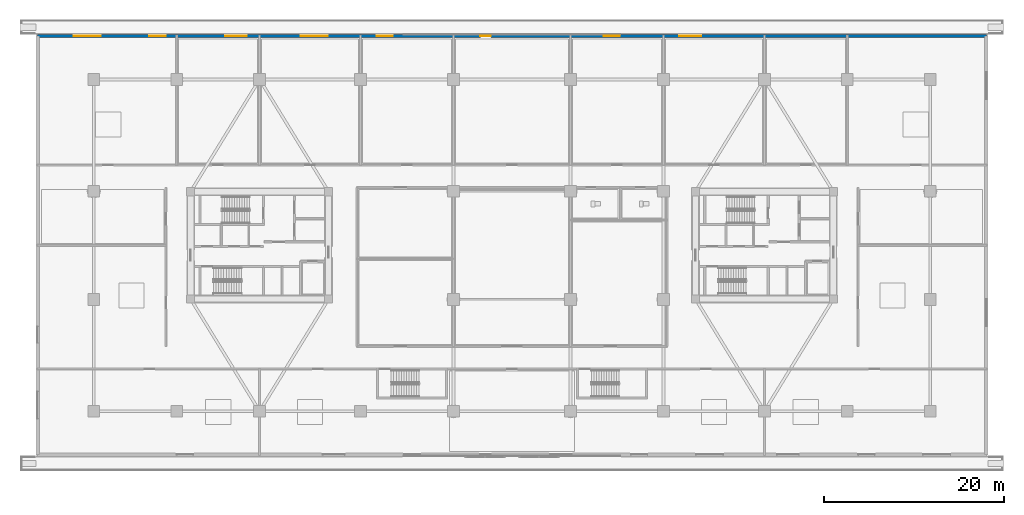
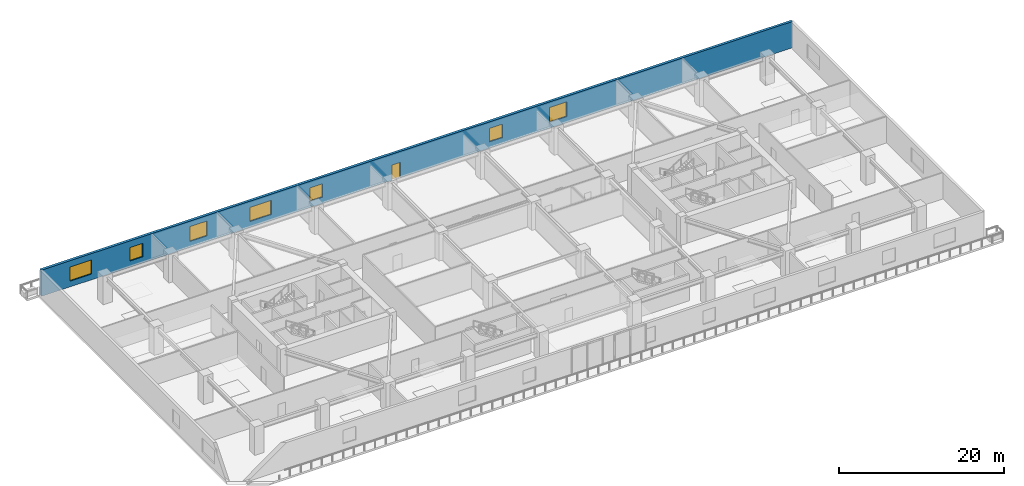
# One storey, part 9 of 22: 7 windows, 1 door, 1 wall, 8 openings.
"""IFC4 building model written with IfcOpenShell, lengths in metres."""

from ifc_helpers import new_model, si_unit, direction, frame, frame_2d, origin, place, context, subcontext, project, spatial, rectangle, extrude, source, transform, mapped, material, layer, layer_set, type_object, type_shapes, element, fill, save


model = new_model("IFC4")

# Units and contexts
model_context = context("Model", 3, precision=1e-05, world=origin(), true_north=direction((0.0, 1.0)))
body_context = subcontext(model_context, "Body", "Model", "MODEL_VIEW")
ifc_project = project(units=[si_unit("LENGTHUNIT", "METRE"), si_unit("AREAUNIT", "SQUARE_METRE"), si_unit("VOLUMEUNIT", "CUBIC_METRE"), si_unit("PLANEANGLEUNIT", "RADIAN"), si_unit("MASSUNIT", "GRAM", prefix="KILO")], contexts=[model_context])

# Site, building, storey
site_placement = place(None, origin())
site = spatial("IfcSite", under=ifc_project, at=site_placement, CompositionType="ELEMENT")
building_placement = place(site_placement, origin())
building = spatial("IfcBuilding", under=site, at=building_placement, Name="Norrkilde Senior Care Towers", CompositionType="ELEMENT")
storey_placement = place(building_placement, frame((0.0, 0.0, 4.199951171875)))
storey = spatial("IfcBuildingStorey", under=building, at=storey_placement, Name="L01", CompositionType="ELEMENT", Elevation=4.199951171875)

# Wall, openings, windows, door
ifc_material_1 = material(Name="Precast concrete C45/55", Category="concrete")
ifc_layer = layer(ifc_material_1, 0.360107421875)
ifc_layer_set = layer_set([ifc_layer], Name="Precast concrete C45/55")
wall_type = type_object("IfcWallType", Name="Podium Facade Wall 360", PredefinedType="SOLIDWALL", material=ifc_layer_set)
shared_shape_1 = source(origin(), body_context, "Body", "SweptSolid", [
    extrude(rectangle(XDim=105.240234375, YDim=0.360107421875, at=frame_2d((52.6201171875, 0.0))), origin(), (0.0, 0.0, 1.0), 3.880126953125),
])
type_shapes(wall_type, [shared_shape_1])
wall_placement = place(storey_placement, frame((-52.6201171875, 23.219970703125, 0.0), z_axis=(0.0, 0.0, 1.0), x_axis=(1.0, 0.0, 0.0)))
wall = element("IfcWall", 1, at=wall_placement, inside=storey, type_object=wall_type, Name="L01 Podium N Facade Wall", PredefinedType="SOLIDWALL", context=body_context, shape_type="MappedRepresentation", body=[
    mapped(shared_shape_1, transform((0.0, 0.0, 0.0), x_axis=(1.0, 0.0, 0.0), y_axis=(0.0, 1.0, 0.0), z_axis=(0.0, 0.0, 1.0), scale=1.0)),
])
opening_1_placement = place(wall_placement, frame((49.1201171875, 0.0, 0.0)))
opening_1 = element("IfcOpeningElement", 2, at=opening_1_placement, cuts=wall, Name="Opening D-09", PredefinedType="OPENING", context=body_context, shape_type="SweptSolid", body=[
    extrude(rectangle(XDim=1.14990234375, YDim=2.25, at=frame_2d((0.574951171875, 1.125))), frame((0.0, 0.18994140625, 0.0), z_axis=(0.0, -1.0, 0.0), x_axis=(1.0, 0.0, 0.0)), (0.0, 0.0, 1.0), 0.380126953125),
])
opening_2_placement = place(wall_placement, frame((4.0, 0.0, 0.85009765625)))
opening_2 = element("IfcOpeningElement", 3, at=opening_2_placement, cuts=wall, Name="Opening WN-02", PredefinedType="OPENING", context=body_context, shape_type="SweptSolid", body=[
    extrude(rectangle(XDim=3.0, YDim=2.10009765625, at=frame_2d((1.5, 1.050048828125))), frame((0.0, 0.18994140625, 0.0), z_axis=(0.0, -1.0, 0.0), x_axis=(1.0, 0.0, 0.0)), (0.0, 0.0, 1.0), 0.380126953125),
])
opening_3_placement = place(wall_placement, frame((12.39990234375, 0.0, 0.89990234375)))
opening_3 = element("IfcOpeningElement", 4, at=opening_3_placement, cuts=wall, Name="Opening WN-03", PredefinedType="OPENING", context=body_context, shape_type="SweptSolid", body=[
    extrude(rectangle(XDim=1.800048828125, YDim=2.0, at=frame_2d((0.89990234375, 1.0))), frame((0.0, 0.18994140625, 0.0), z_axis=(0.0, -1.0, 0.0), x_axis=(1.0, 0.0, 0.0)), (0.0, 0.0, 1.0), 0.380126953125),
])
opening_4_placement = place(wall_placement, frame((20.800048828125, 0.0, 0.85009765625)))
opening_4 = element("IfcOpeningElement", 5, at=opening_4_placement, cuts=wall, Name="Opening WN-01", PredefinedType="OPENING", context=body_context, shape_type="SweptSolid", body=[
    extrude(rectangle(XDim=2.39990234375, YDim=2.199951171875, at=frame_2d((1.199951171875, 1.10009765625))), frame((0.0, 0.18994140625, 0.0), z_axis=(0.0, -1.0, 0.0), x_axis=(1.0, 0.0, 0.0)), (0.0, 0.0, 1.0), 0.380126953125),
])
opening_5_placement = place(wall_placement, frame((29.199951171875, 0.0, 0.85009765625)))
opening_5 = element("IfcOpeningElement", 6, at=opening_5_placement, cuts=wall, Name="Opening WN-02", PredefinedType="OPENING", context=body_context, shape_type="SweptSolid", body=[
    extrude(rectangle(XDim=3.0, YDim=2.10009765625, at=frame_2d((1.5, 1.050048828125))), frame((0.0, 0.18994140625, 0.0), z_axis=(0.0, -1.0, 0.0), x_axis=(1.0, 0.0, 0.0)), (0.0, 0.0, 1.0), 0.380126953125),
])
opening_6_placement = place(wall_placement, frame((37.60009765625, 0.0, 0.89990234375)))
opening_6 = element("IfcOpeningElement", 7, at=opening_6_placement, cuts=wall, Name="Opening WN-03", PredefinedType="OPENING", context=body_context, shape_type="SweptSolid", body=[
    extrude(rectangle(XDim=1.800048828125, YDim=2.0, at=frame_2d((0.89990234375, 1.0))), frame((0.0, 0.18994140625, 0.0), z_axis=(0.0, -1.0, 0.0), x_axis=(1.0, 0.0, 0.0)), (0.0, 0.0, 1.0), 0.380126953125),
])
opening_7_placement = place(wall_placement, frame((62.800048828125, 0.0, 0.89990234375)))
opening_7 = element("IfcOpeningElement", 8, at=opening_7_placement, cuts=wall, Name="Opening WN-03", PredefinedType="OPENING", context=body_context, shape_type="SweptSolid", body=[
    extrude(rectangle(XDim=1.800048828125, YDim=2.0, at=frame_2d((0.89990234375, 1.0))), frame((0.0, 0.18994140625, 0.0), z_axis=(0.0, -1.0, 0.0), x_axis=(1.0, 0.0, 0.0)), (0.0, 0.0, 1.0), 0.380126953125),
])
opening_8_placement = place(wall_placement, frame((71.199951171875, 0.0, 0.85009765625)))
opening_8 = element("IfcOpeningElement", 9, at=opening_8_placement, cuts=wall, Name="Opening WN-01", PredefinedType="OPENING", context=body_context, shape_type="SweptSolid", body=[
    extrude(rectangle(XDim=2.39990234375, YDim=2.199951171875, at=frame_2d((1.199951171875, 1.10009765625))), frame((0.0, 0.18994140625, 0.0), z_axis=(0.0, -1.0, 0.0), x_axis=(1.0, 0.0, 0.0)), (0.0, 0.0, 1.0), 0.380126953125),
])
ifc_material_2 = material(Name="Triple Low-E Insulated Glazing", Category="glass")
window_type_1 = type_object("IfcWindowType", Name="Podium Clinic Triple Window 2400x2200", PartitioningType="SINGLE_PANEL", PredefinedType="WINDOW", material=ifc_material_2)
shared_shape_2 = source(origin(), body_context, "Body", "SweptSolid", [
    extrude(rectangle(XDim=2.39990234375, YDim=2.199951171875, at=frame_2d((1.199951171875, 1.10009765625))), frame((0.0, 0.030029296875, 0.0), z_axis=(0.0, -1.0, 0.0), x_axis=(1.0, 0.0, 0.0)), (0.0, 0.0, 1.0), 0.06005859375),
])
type_shapes(window_type_1, [shared_shape_2])
window_1_placement = place(opening_4_placement, origin())
window_1 = element("IfcWindow", 10, at=window_1_placement, inside=storey, type_object=window_type_1, Name="L01 N Window 03", OverallHeight=2.199951171875, OverallWidth=2.39990234375, PartitioningType="SINGLE_PANEL", PredefinedType="WINDOW", context=body_context, shape_type="MappedRepresentation", body=[
    mapped(shared_shape_2, transform((0.0, 0.0, 0.0), x_axis=(1.0, 0.0, 0.0), y_axis=(0.0, 1.0, 0.0), z_axis=(0.0, 0.0, 1.0), scale=1.0)),
])
fill(opening_4, window_1)
window_2_placement = place(opening_8_placement, origin())
window_2 = element("IfcWindow", 11, at=window_2_placement, inside=storey, type_object=window_type_1, Name="L01 N Window 09", OverallHeight=2.199951171875, OverallWidth=2.39990234375, PartitioningType="SINGLE_PANEL", PredefinedType="WINDOW", context=body_context, shape_type="MappedRepresentation", body=[
    mapped(shared_shape_2, transform((0.0, 0.0, 0.0), x_axis=(1.0, 0.0, 0.0), y_axis=(0.0, 1.0, 0.0), z_axis=(0.0, 0.0, 1.0), scale=1.0)),
])
fill(opening_8, window_2)
window_type_2 = type_object("IfcWindowType", Name="Podium Rehab Ribbon Window 3000x2100", PartitioningType="SINGLE_PANEL", PredefinedType="WINDOW", material=ifc_material_2)
shared_shape_3 = source(origin(), body_context, "Body", "SweptSolid", [
    extrude(rectangle(XDim=3.0, YDim=2.10009765625, at=frame_2d((1.5, 1.050048828125))), frame((0.0, 0.030029296875, 0.0), z_axis=(0.0, -1.0, 0.0), x_axis=(1.0, 0.0, 0.0)), (0.0, 0.0, 1.0), 0.06005859375),
])
type_shapes(window_type_2, [shared_shape_3])
window_3_placement = place(opening_2_placement, origin())
window_3 = element("IfcWindow", 12, at=window_3_placement, inside=storey, type_object=window_type_2, Name="L01 N Window 01", OverallHeight=2.10009765625, OverallWidth=3.0, PartitioningType="SINGLE_PANEL", PredefinedType="WINDOW", context=body_context, shape_type="MappedRepresentation", body=[
    mapped(shared_shape_3, transform((0.0, 0.0, 0.0), x_axis=(1.0, 0.0, 0.0), y_axis=(0.0, 1.0, 0.0), z_axis=(0.0, 0.0, 1.0), scale=1.0)),
])
fill(opening_2, window_3)
window_4_placement = place(opening_5_placement, origin())
window_4 = element("IfcWindow", 13, at=window_4_placement, inside=storey, type_object=window_type_2, Name="L01 N Window 04", OverallHeight=2.10009765625, OverallWidth=3.0, PartitioningType="SINGLE_PANEL", PredefinedType="WINDOW", context=body_context, shape_type="MappedRepresentation", body=[
    mapped(shared_shape_3, transform((0.0, 0.0, 0.0), x_axis=(1.0, 0.0, 0.0), y_axis=(0.0, 1.0, 0.0), z_axis=(0.0, 0.0, 1.0), scale=1.0)),
])
fill(opening_5, window_4)
window_type_3 = type_object("IfcWindowType", Name="Podium Therapy Garden Window 1800x2000", PartitioningType="SINGLE_PANEL", PredefinedType="WINDOW", material=ifc_material_2)
shared_shape_4 = source(origin(), body_context, "Body", "SweptSolid", [
    extrude(rectangle(XDim=1.800048828125, YDim=2.0, at=frame_2d((0.89990234375, 1.0))), frame((0.0, 0.030029296875, 0.0), z_axis=(0.0, -1.0, 0.0), x_axis=(1.0, 0.0, 0.0)), (0.0, 0.0, 1.0), 0.06005859375),
])
type_shapes(window_type_3, [shared_shape_4])
window_5_placement = place(opening_3_placement, origin())
window_5 = element("IfcWindow", 14, at=window_5_placement, inside=storey, type_object=window_type_3, Name="L01 N Window 02", OverallHeight=2.0, OverallWidth=1.800048828125, PartitioningType="SINGLE_PANEL", PredefinedType="WINDOW", context=body_context, shape_type="MappedRepresentation", body=[
    mapped(shared_shape_4, transform((0.0, 0.0, 0.0), x_axis=(1.0, 0.0, 0.0), y_axis=(0.0, 1.0, 0.0), z_axis=(0.0, 0.0, 1.0), scale=1.0)),
])
fill(opening_3, window_5)
window_6_placement = place(opening_6_placement, origin())
window_6 = element("IfcWindow", 15, at=window_6_placement, inside=storey, type_object=window_type_3, Name="L01 N Window 05", OverallHeight=2.0, OverallWidth=1.800048828125, PartitioningType="SINGLE_PANEL", PredefinedType="WINDOW", context=body_context, shape_type="MappedRepresentation", body=[
    mapped(shared_shape_4, transform((0.0, 0.0, 0.0), x_axis=(1.0, 0.0, 0.0), y_axis=(0.0, 1.0, 0.0), z_axis=(0.0, 0.0, 1.0), scale=1.0)),
])
fill(opening_6, window_6)
window_7_placement = place(opening_7_placement, origin())
window_7 = element("IfcWindow", 16, at=window_7_placement, inside=storey, type_object=window_type_3, Name="L01 N Window 08", OverallHeight=2.0, OverallWidth=1.800048828125, PartitioningType="SINGLE_PANEL", PredefinedType="WINDOW", context=body_context, shape_type="MappedRepresentation", body=[
    mapped(shared_shape_4, transform((0.0, 0.0, 0.0), x_axis=(1.0, 0.0, 0.0), y_axis=(0.0, 1.0, 0.0), z_axis=(0.0, 0.0, 1.0), scale=1.0)),
])
fill(opening_7, window_7)
ifc_material_3 = material(Name="Anodised Aluminium", Category="aluminium")
door_type = type_object("IfcDoorType", Name="Terrace and Balcony Glazed Door 1150x2250", OperationType="NOTDEFINED", PredefinedType="DOOR", material=ifc_material_3)
shared_shape_5 = source(origin(), body_context, "Body", "SweptSolid", [
    extrude(rectangle(XDim=1.14990234375, YDim=2.25, at=frame_2d((0.574951171875, 1.125))), frame((0.0, 0.02490234375, 0.0), z_axis=(0.0, -1.0, 0.0), x_axis=(1.0, 0.0, 0.0)), (0.0, 0.0, 1.0), 0.050048828125),
])
type_shapes(door_type, [shared_shape_5])
door_placement = place(opening_1_placement, origin())
door = element("IfcDoor", 17, at=door_placement, inside=storey, type_object=door_type, Name="L01 North Cascading Garden Terrace Door", OperationType="SINGLE_SWING_LEFT", OverallHeight=2.25, OverallWidth=1.14990234375, PredefinedType="DOOR", context=body_context, shape_type="MappedRepresentation", body=[
    mapped(shared_shape_5, transform((0.0, 0.0, 0.0), x_axis=(1.0, 0.0, 0.0), y_axis=(0.0, 1.0, 0.0), z_axis=(0.0, 0.0, 1.0), scale=1.0)),
])
fill(opening_1, door)

save(model, "model.ifc")
